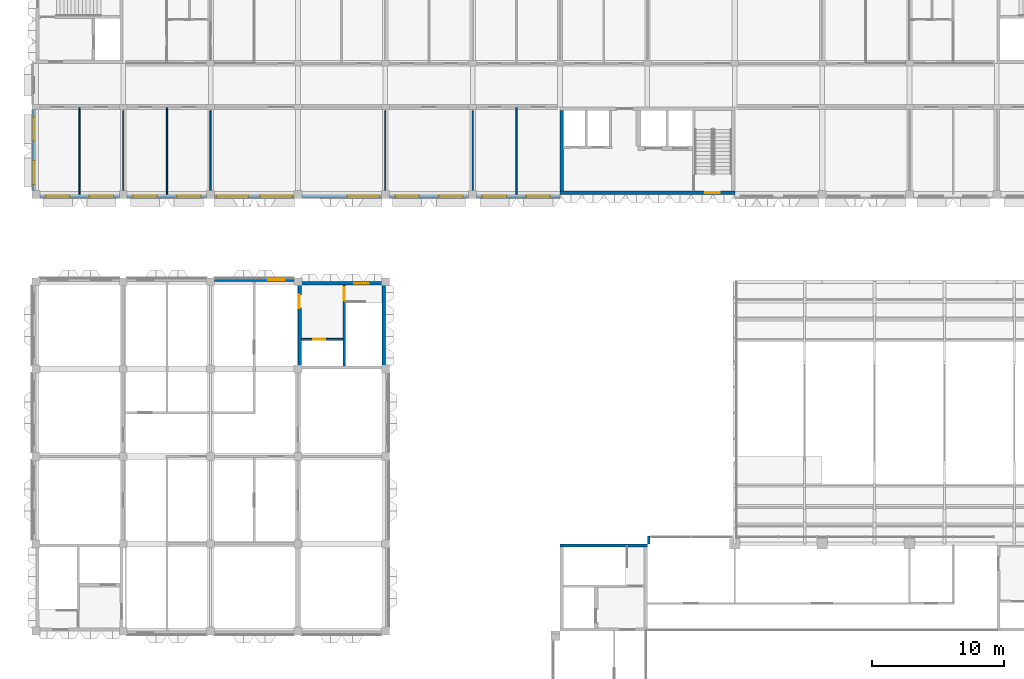
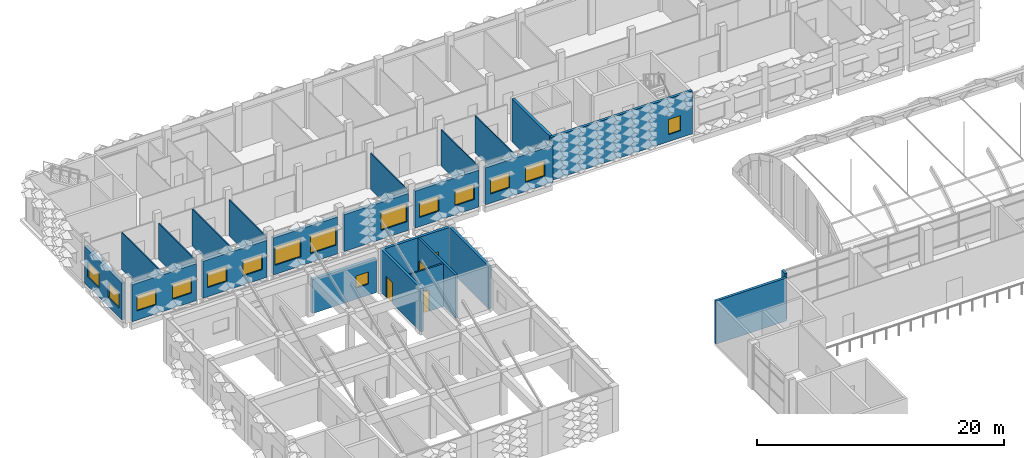
# One storey, part 49 of 102: 24 walls, 16 windows, 3 doors, 19 openings.
"""IFC4 building model written with IfcOpenShell, lengths in metres."""

from ifc_helpers import new_model, si_unit, direction, frame, frame_2d, origin, place, context, subcontext, project, spatial, rectangle, extrude, material, layer, layer_set, type_object, element, fill, save


model = new_model("IFC4")

# Units and contexts
model_context = context("Model", 3, precision=1e-05, world=origin(), true_north=direction((0.0, 1.0)))
body_context = subcontext(model_context, "Body", "Model", "MODEL_VIEW")
ifc_project = project(units=[si_unit("LENGTHUNIT", "METRE"), si_unit("AREAUNIT", "SQUARE_METRE"), si_unit("VOLUMEUNIT", "CUBIC_METRE"), si_unit("PLANEANGLEUNIT", "RADIAN"), si_unit("MASSUNIT", "GRAM", prefix="KILO")], contexts=[model_context])

# Site, building, storey
site_placement = place(None, origin())
site = spatial("IfcSite", under=ifc_project, at=site_placement, CompositionType="ELEMENT")
building_placement = place(site_placement, origin())
building = spatial("IfcBuilding", under=site, at=building_placement, Name="Lantern Court Research Institute", CompositionType="ELEMENT")
storey_placement = place(building_placement, frame((0.0, 0.0, 9.89990234375)))
storey = spatial("IfcBuildingStorey", under=building, at=storey_placement, Name="L02", CompositionType="ELEMENT", Elevation=9.89990234375)

# Wall, openings, windows
ifc_material_1 = material(Name="Concrete C30/37", Category="concrete")
ifc_layer_1 = layer(ifc_material_1, 0.300048828125)
ifc_layer_set_1 = layer_set([ifc_layer_1], Name="Concrete C30/37")
wall_type_1 = type_object("IfcWallType", Name="Insulated concrete infill wall 300", PredefinedType="STANDARD", material=ifc_layer_set_1)
wall_1_placement = place(storey_placement, frame((6.300048828125, 82.35009765625, 0.0), z_axis=(0.0, 0.0, 1.0), x_axis=(-1.0, 0.0, 0.0)))
wall_1 = element("IfcWall", 1, at=wall_1_placement, inside=storey, type_object=wall_type_1, Name="Exterior wall EW156", PredefinedType="STANDARD", context=body_context, shape_type="SweptSolid", body=[
    extrude(rectangle(XDim=6.0, YDim=0.300048828125, at=frame_2d((3.0, 0.0))), origin(), (0.0, 0.0, 1.0), 3.650146484375),
])
opening_1_placement = place(wall_1_placement, frame((3.75, 0.0, 0.89990234375)))
opening_1 = element("IfcOpeningElement", 2, at=opening_1_placement, cuts=wall_1, Name="Opening W14", PredefinedType="OPENING", context=body_context, shape_type="SweptSolid", body=[
    extrude(rectangle(XDim=1.800048828125, YDim=1.5, at=frame_2d((0.89990234375, 0.75))), frame((0.0, 0.159912109375, 0.0), z_axis=(0.0, -1.0, 0.0), x_axis=(1.0, 0.0, 0.0)), (0.0, 0.0, 1.0), 0.320068359375),
])
opening_2_placement = place(wall_1_placement, frame((0.449951171875, 0.0, 0.89990234375)))
opening_2 = element("IfcOpeningElement", 3, at=opening_2_placement, cuts=wall_1, Name="Opening W14", PredefinedType="OPENING", context=body_context, shape_type="SweptSolid", body=[
    extrude(rectangle(XDim=1.800048828125, YDim=1.5, at=frame_2d((0.89990234375, 0.75))), frame((0.0, 0.159912109375, 0.0), z_axis=(0.0, -1.0, 0.0), x_axis=(1.0, 0.0, 0.0)), (0.0, 0.0, 1.0), 0.320068359375),
])
ifc_material_2 = material(Name="Aluminium frame with laminated low-emissivity glazing", Category="aluminium")
window_type_1 = type_object("IfcWindowType", Name="Office window 1800 x 1500", PartitioningType="SINGLE_PANEL", PredefinedType="WINDOW", material=ifc_material_2)
window_1_placement = place(opening_1_placement, origin())
window_1 = element("IfcWindow", 4, at=window_1_placement, inside=storey, type_object=window_type_1, Name="Window W14 V6S L02", OverallHeight=1.5, OverallWidth=1.800048828125, PartitioningType="SINGLE_PANEL", PredefinedType="WINDOW", context=body_context, shape_type="SweptSolid", body=[
    extrude(rectangle(XDim=1.800048828125, YDim=1.5, at=frame_2d((0.89990234375, 0.75))), frame((0.0, 0.030029296875, 0.0), z_axis=(0.0, -1.0, 0.0), x_axis=(1.0, 0.0, 0.0)), (0.0, 0.0, 1.0), 0.06005859375),
])
fill(opening_1, window_1)
window_2_placement = place(opening_2_placement, origin())
window_2 = element("IfcWindow", 5, at=window_2_placement, inside=storey, type_object=window_type_1, Name="Window W14 V6S L02", OverallHeight=1.5, OverallWidth=1.800048828125, PartitioningType="SINGLE_PANEL", PredefinedType="WINDOW", context=body_context, shape_type="SweptSolid", body=[
    extrude(rectangle(XDim=1.800048828125, YDim=1.5, at=frame_2d((0.89990234375, 0.75))), frame((0.0, 0.030029296875, 0.0), z_axis=(0.0, -1.0, 0.0), x_axis=(1.0, 0.0, 0.0)), (0.0, 0.0, 1.0), 0.06005859375),
])
fill(opening_2, window_2)

wall_2_placement = place(storey_placement, frame((12.89990234375, 82.35009765625, 0.0), z_axis=(0.0, 0.0, 1.0), x_axis=(-1.0, 0.0, 0.0)))
wall_2 = element("IfcWall", 6, at=wall_2_placement, inside=storey, type_object=wall_type_1, Name="Exterior wall EW157", PredefinedType="STANDARD", context=body_context, shape_type="SweptSolid", body=[
    extrude(rectangle(XDim=6.0, YDim=0.300048828125, at=frame_2d((3.0, 0.0))), origin(), (0.0, 0.0, 1.0), 3.650146484375),
])
opening_3_placement = place(wall_2_placement, frame((3.75, 0.0, 0.89990234375)))
opening_3 = element("IfcOpeningElement", 7, at=opening_3_placement, cuts=wall_2, Name="Opening W14", PredefinedType="OPENING", context=body_context, shape_type="SweptSolid", body=[
    extrude(rectangle(XDim=1.800048828125, YDim=1.5, at=frame_2d((0.89990234375, 0.75))), frame((0.0, 0.159912109375, 0.0), z_axis=(0.0, -1.0, 0.0), x_axis=(1.0, 0.0, 0.0)), (0.0, 0.0, 1.0), 0.320068359375),
])
opening_4_placement = place(wall_2_placement, frame((0.449951171875, 0.0, 0.89990234375)))
opening_4 = element("IfcOpeningElement", 8, at=opening_4_placement, cuts=wall_2, Name="Opening W14", PredefinedType="OPENING", context=body_context, shape_type="SweptSolid", body=[
    extrude(rectangle(XDim=1.800048828125, YDim=1.5, at=frame_2d((0.89990234375, 0.75))), frame((0.0, 0.159912109375, 0.0), z_axis=(0.0, -1.0, 0.0), x_axis=(1.0, 0.0, 0.0)), (0.0, 0.0, 1.0), 0.320068359375),
])
window_3_placement = place(opening_3_placement, origin())
window_3 = element("IfcWindow", 9, at=window_3_placement, inside=storey, type_object=window_type_1, Name="Window W14 V6S L02", OverallHeight=1.5, OverallWidth=1.800048828125, PartitioningType="SINGLE_PANEL", PredefinedType="WINDOW", context=body_context, shape_type="SweptSolid", body=[
    extrude(rectangle(XDim=1.800048828125, YDim=1.5, at=frame_2d((0.89990234375, 0.75))), frame((0.0, 0.030029296875, 0.0), z_axis=(0.0, -1.0, 0.0), x_axis=(1.0, 0.0, 0.0)), (0.0, 0.0, 1.0), 0.06005859375),
])
fill(opening_3, window_3)
window_4_placement = place(opening_4_placement, origin())
window_4 = element("IfcWindow", 10, at=window_4_placement, inside=storey, type_object=window_type_1, Name="Window W14 V6S L02", OverallHeight=1.5, OverallWidth=1.800048828125, PartitioningType="SINGLE_PANEL", PredefinedType="WINDOW", context=body_context, shape_type="SweptSolid", body=[
    extrude(rectangle(XDim=1.800048828125, YDim=1.5, at=frame_2d((0.89990234375, 0.75))), frame((0.0, 0.030029296875, 0.0), z_axis=(0.0, -1.0, 0.0), x_axis=(1.0, 0.0, 0.0)), (0.0, 0.0, 1.0), 0.06005859375),
])
fill(opening_4, window_4)

wall_3_placement = place(storey_placement, frame((19.5, 82.35009765625, 0.0), z_axis=(0.0, 0.0, 1.0), x_axis=(-1.0, 0.0, 0.0)))
wall_3 = element("IfcWall", 11, at=wall_3_placement, inside=storey, type_object=wall_type_1, Name="Exterior wall EW158", PredefinedType="STANDARD", context=body_context, shape_type="SweptSolid", body=[
    extrude(rectangle(XDim=6.0, YDim=0.300048828125, at=frame_2d((3.0, 0.0))), origin(), (0.0, 0.0, 1.0), 3.650146484375),
])
opening_5_placement = place(wall_3_placement, frame((3.449951171875, 0.0, 0.89990234375)))
opening_5 = element("IfcOpeningElement", 12, at=opening_5_placement, cuts=wall_3, Name="Opening W13", PredefinedType="OPENING", context=body_context, shape_type="SweptSolid", body=[
    extrude(rectangle(XDim=2.39990234375, YDim=1.800048828125, at=frame_2d((1.199951171875, 0.89990234375))), frame((0.0, 0.159912109375, 0.0), z_axis=(0.0, -1.0, 0.0), x_axis=(1.0, 0.0, 0.0)), (0.0, 0.0, 1.0), 0.320068359375),
])
opening_6_placement = place(wall_3_placement, frame((0.14990234375, 0.0, 0.89990234375)))
opening_6 = element("IfcOpeningElement", 13, at=opening_6_placement, cuts=wall_3, Name="Opening W13", PredefinedType="OPENING", context=body_context, shape_type="SweptSolid", body=[
    extrude(rectangle(XDim=2.39990234375, YDim=1.800048828125, at=frame_2d((1.199951171875, 0.89990234375))), frame((0.0, 0.159912109375, 0.0), z_axis=(0.0, -1.0, 0.0), x_axis=(1.0, 0.0, 0.0)), (0.0, 0.0, 1.0), 0.320068359375),
])
ifc_material_3 = material(Name="Aluminium frame with laminated low-emissivity glazing", Category="aluminium")
window_type_2 = type_object("IfcWindowType", Name="Seminar window 2400 x 1800", PartitioningType="SINGLE_PANEL", PredefinedType="WINDOW", material=ifc_material_3)
window_5_placement = place(opening_5_placement, origin())
window_5 = element("IfcWindow", 14, at=window_5_placement, inside=storey, type_object=window_type_2, Name="Window W13 V6S L02", OverallHeight=1.800048828125, OverallWidth=2.39990234375, PartitioningType="SINGLE_PANEL", PredefinedType="WINDOW", context=body_context, shape_type="SweptSolid", body=[
    extrude(rectangle(XDim=2.39990234375, YDim=1.800048828125, at=frame_2d((1.199951171875, 0.89990234375))), frame((0.0, 0.030029296875, 0.0), z_axis=(0.0, -1.0, 0.0), x_axis=(1.0, 0.0, 0.0)), (0.0, 0.0, 1.0), 0.06005859375),
])
fill(opening_5, window_5)
window_6_placement = place(opening_6_placement, origin())
window_6 = element("IfcWindow", 15, at=window_6_placement, inside=storey, type_object=window_type_2, Name="Window W13 V6S L02", OverallHeight=1.800048828125, OverallWidth=2.39990234375, PartitioningType="SINGLE_PANEL", PredefinedType="WINDOW", context=body_context, shape_type="SweptSolid", body=[
    extrude(rectangle(XDim=2.39990234375, YDim=1.800048828125, at=frame_2d((1.199951171875, 0.89990234375))), frame((0.0, 0.030029296875, 0.0), z_axis=(0.0, -1.0, 0.0), x_axis=(1.0, 0.0, 0.0)), (0.0, 0.0, 1.0), 0.06005859375),
])
fill(opening_6, window_6)

# Wall, opening, window
wall_4_placement = place(storey_placement, frame((26.10009765625, 82.35009765625, 0.0), z_axis=(0.0, 0.0, 1.0), x_axis=(-1.0, 0.0, 0.0)))
wall_4 = element("IfcWall", 16, at=wall_4_placement, inside=storey, type_object=wall_type_1, Name="Exterior wall EW159", PredefinedType="STANDARD", context=body_context, shape_type="SweptSolid", body=[
    extrude(rectangle(XDim=6.0, YDim=0.300048828125, at=frame_2d((3.0, 0.0))), origin(), (0.0, 0.0, 1.0), 3.650146484375),
])
opening_7_placement = place(wall_4_placement, frame((0.14990234375, 0.0, 0.89990234375)))
opening_7 = element("IfcOpeningElement", 17, at=opening_7_placement, cuts=wall_4, Name="Opening W13", PredefinedType="OPENING", context=body_context, shape_type="SweptSolid", body=[
    extrude(rectangle(XDim=2.39990234375, YDim=1.800048828125, at=frame_2d((1.199951171875, 0.89990234375))), frame((0.0, 0.159912109375, 0.0), z_axis=(0.0, -1.0, 0.0), x_axis=(1.0, 0.0, 0.0)), (0.0, 0.0, 1.0), 0.320068359375),
])
window_7_placement = place(opening_7_placement, origin())
window_7 = element("IfcWindow", 18, at=window_7_placement, inside=storey, type_object=window_type_2, Name="Window W13 V6S L02", OverallHeight=1.800048828125, OverallWidth=2.39990234375, PartitioningType="SINGLE_PANEL", PredefinedType="WINDOW", context=body_context, shape_type="SweptSolid", body=[
    extrude(rectangle(XDim=2.39990234375, YDim=1.800048828125, at=frame_2d((1.199951171875, 0.89990234375))), frame((0.0, 0.030029296875, 0.0), z_axis=(0.0, -1.0, 0.0), x_axis=(1.0, 0.0, 0.0)), (0.0, 0.0, 1.0), 0.06005859375),
])
fill(opening_7, window_7)

# Wall, openings, windows
wall_5_placement = place(storey_placement, frame((32.699951171875, 82.35009765625, 0.0), z_axis=(0.0, 0.0, 1.0), x_axis=(-1.0, 0.0, 0.0)))
wall_5 = element("IfcWall", 19, at=wall_5_placement, inside=storey, type_object=wall_type_1, Name="Exterior wall EW160", PredefinedType="STANDARD", context=body_context, shape_type="SweptSolid", body=[
    extrude(rectangle(XDim=6.0, YDim=0.300048828125, at=frame_2d((3.0, 0.0))), origin(), (0.0, 0.0, 1.0), 3.650146484375),
])
opening_8_placement = place(wall_5_placement, frame((3.75, 0.0, 0.89990234375)))
opening_8 = element("IfcOpeningElement", 20, at=opening_8_placement, cuts=wall_5, Name="Opening W14", PredefinedType="OPENING", context=body_context, shape_type="SweptSolid", body=[
    extrude(rectangle(XDim=1.800048828125, YDim=1.5, at=frame_2d((0.89990234375, 0.75))), frame((0.0, 0.159912109375, 0.0), z_axis=(0.0, -1.0, 0.0), x_axis=(1.0, 0.0, 0.0)), (0.0, 0.0, 1.0), 0.320068359375),
])
opening_9_placement = place(wall_5_placement, frame((0.449951171875, 0.0, 0.89990234375)))
opening_9 = element("IfcOpeningElement", 21, at=opening_9_placement, cuts=wall_5, Name="Opening W14", PredefinedType="OPENING", context=body_context, shape_type="SweptSolid", body=[
    extrude(rectangle(XDim=1.800048828125, YDim=1.5, at=frame_2d((0.89990234375, 0.75))), frame((0.0, 0.159912109375, 0.0), z_axis=(0.0, -1.0, 0.0), x_axis=(1.0, 0.0, 0.0)), (0.0, 0.0, 1.0), 0.320068359375),
])
window_8_placement = place(opening_8_placement, origin())
window_8 = element("IfcWindow", 22, at=window_8_placement, inside=storey, type_object=window_type_1, Name="Window W14 V6S L02", OverallHeight=1.5, OverallWidth=1.800048828125, PartitioningType="SINGLE_PANEL", PredefinedType="WINDOW", context=body_context, shape_type="SweptSolid", body=[
    extrude(rectangle(XDim=1.800048828125, YDim=1.5, at=frame_2d((0.89990234375, 0.75))), frame((0.0, 0.030029296875, 0.0), z_axis=(0.0, -1.0, 0.0), x_axis=(1.0, 0.0, 0.0)), (0.0, 0.0, 1.0), 0.06005859375),
])
fill(opening_8, window_8)
window_9_placement = place(opening_9_placement, origin())
window_9 = element("IfcWindow", 23, at=window_9_placement, inside=storey, type_object=window_type_1, Name="Window W14 V6S L02", OverallHeight=1.5, OverallWidth=1.800048828125, PartitioningType="SINGLE_PANEL", PredefinedType="WINDOW", context=body_context, shape_type="SweptSolid", body=[
    extrude(rectangle(XDim=1.800048828125, YDim=1.5, at=frame_2d((0.89990234375, 0.75))), frame((0.0, 0.030029296875, 0.0), z_axis=(0.0, -1.0, 0.0), x_axis=(1.0, 0.0, 0.0)), (0.0, 0.0, 1.0), 0.06005859375),
])
fill(opening_9, window_9)

wall_6_placement = place(storey_placement, frame((39.60009765625, 82.35009765625, 0.0), z_axis=(0.0, 0.0, 1.0), x_axis=(-1.0, 0.0, 0.0)))
wall_6 = element("IfcWall", 24, at=wall_6_placement, inside=storey, type_object=wall_type_1, Name="Exterior wall EW161", PredefinedType="STANDARD", context=body_context, shape_type="SweptSolid", body=[
    extrude(rectangle(XDim=6.300048828125, YDim=0.300048828125, at=frame_2d((3.14990234375, 0.0))), origin(), (0.0, 0.0, 1.0), 3.650146484375),
])
opening_10_placement = place(wall_6_placement, frame((4.050048828125, 0.0, 0.89990234375)))
opening_10 = element("IfcOpeningElement", 25, at=opening_10_placement, cuts=wall_6, Name="Opening W14", PredefinedType="OPENING", context=body_context, shape_type="SweptSolid", body=[
    extrude(rectangle(XDim=1.800048828125, YDim=1.5, at=frame_2d((0.89990234375, 0.75))), frame((0.0, 0.159912109375, 0.0), z_axis=(0.0, -1.0, 0.0), x_axis=(1.0, 0.0, 0.0)), (0.0, 0.0, 1.0), 0.320068359375),
])
opening_11_placement = place(wall_6_placement, frame((0.75, 0.0, 0.89990234375)))
opening_11 = element("IfcOpeningElement", 26, at=opening_11_placement, cuts=wall_6, Name="Opening W14", PredefinedType="OPENING", context=body_context, shape_type="SweptSolid", body=[
    extrude(rectangle(XDim=1.800048828125, YDim=1.5, at=frame_2d((0.89990234375, 0.75))), frame((0.0, 0.159912109375, 0.0), z_axis=(0.0, -1.0, 0.0), x_axis=(1.0, 0.0, 0.0)), (0.0, 0.0, 1.0), 0.320068359375),
])
window_10_placement = place(opening_10_placement, origin())
window_10 = element("IfcWindow", 27, at=window_10_placement, inside=storey, type_object=window_type_1, Name="Window W14 V6S L02", OverallHeight=1.5, OverallWidth=1.800048828125, PartitioningType="SINGLE_PANEL", PredefinedType="WINDOW", context=body_context, shape_type="SweptSolid", body=[
    extrude(rectangle(XDim=1.800048828125, YDim=1.5, at=frame_2d((0.89990234375, 0.75))), frame((0.0, 0.030029296875, 0.0), z_axis=(0.0, -1.0, 0.0), x_axis=(1.0, 0.0, 0.0)), (0.0, 0.0, 1.0), 0.06005859375),
])
fill(opening_10, window_10)
window_11_placement = place(opening_11_placement, origin())
window_11 = element("IfcWindow", 28, at=window_11_placement, inside=storey, type_object=window_type_1, Name="Window W14 V6S L02", OverallHeight=1.5, OverallWidth=1.800048828125, PartitioningType="SINGLE_PANEL", PredefinedType="WINDOW", context=body_context, shape_type="SweptSolid", body=[
    extrude(rectangle(XDim=1.800048828125, YDim=1.5, at=frame_2d((0.89990234375, 0.75))), frame((0.0, 0.030029296875, 0.0), z_axis=(0.0, -1.0, 0.0), x_axis=(1.0, 0.0, 0.0)), (0.0, 0.0, 1.0), 0.06005859375),
])
fill(opening_11, window_11)

wall_7_placement = place(storey_placement, frame((-0.14990234375, 82.800048828125, 0.0), z_axis=(0.0, 0.0, 1.0), x_axis=(0.0, 1.0, 0.0)))
wall_7 = element("IfcWall", 29, at=wall_7_placement, inside=storey, type_object=wall_type_1, Name="Exterior wall EW166", PredefinedType="STANDARD", context=body_context, shape_type="SweptSolid", body=[
    extrude(rectangle(XDim=6.099853515625, YDim=0.300048828125, at=frame_2d((3.0498046875, 0.0))), origin(), (0.0, 0.0, 1.0), 3.650146484375),
])
opening_12_placement = place(wall_7_placement, frame((0.449951171875, 0.0, 0.89990234375)))
opening_12 = element("IfcOpeningElement", 30, at=opening_12_placement, cuts=wall_7, Name="Opening W14", PredefinedType="OPENING", context=body_context, shape_type="SweptSolid", body=[
    extrude(rectangle(XDim=1.800048828125, YDim=1.5, at=frame_2d((0.89990234375, 0.75))), frame((0.0, 0.159912109375, 0.0), z_axis=(0.0, -1.0, 0.0), x_axis=(1.0, 0.0, 0.0)), (0.0, 0.0, 1.0), 0.320068359375),
])
opening_13_placement = place(wall_7_placement, frame((3.75, 0.0, 0.89990234375)))
opening_13 = element("IfcOpeningElement", 31, at=opening_13_placement, cuts=wall_7, Name="Opening W14", PredefinedType="OPENING", context=body_context, shape_type="SweptSolid", body=[
    extrude(rectangle(XDim=1.800048828125, YDim=1.5, at=frame_2d((0.89990234375, 0.75))), frame((0.0, 0.159912109375, 0.0), z_axis=(0.0, -1.0, 0.0), x_axis=(1.0, 0.0, 0.0)), (0.0, 0.0, 1.0), 0.320068359375),
])
window_12_placement = place(opening_12_placement, origin())
window_12 = element("IfcWindow", 32, at=window_12_placement, inside=storey, type_object=window_type_1, Name="Window W14 V6W L02", OverallHeight=1.5, OverallWidth=1.800048828125, PartitioningType="SINGLE_PANEL", PredefinedType="WINDOW", context=body_context, shape_type="SweptSolid", body=[
    extrude(rectangle(XDim=1.800048828125, YDim=1.5, at=frame_2d((0.89990234375, 0.75))), frame((0.0, 0.030029296875, 0.0), z_axis=(0.0, -1.0, 0.0), x_axis=(1.0, 0.0, 0.0)), (0.0, 0.0, 1.0), 0.06005859375),
])
fill(opening_12, window_12)
window_13_placement = place(opening_13_placement, origin())
window_13 = element("IfcWindow", 33, at=window_13_placement, inside=storey, type_object=window_type_1, Name="Window W14 V6W L02", OverallHeight=1.5, OverallWidth=1.800048828125, PartitioningType="SINGLE_PANEL", PredefinedType="WINDOW", context=body_context, shape_type="SweptSolid", body=[
    extrude(rectangle(XDim=1.800048828125, YDim=1.5, at=frame_2d((0.89990234375, 0.75))), frame((0.0, 0.030029296875, 0.0), z_axis=(0.0, -1.0, 0.0), x_axis=(1.0, 0.0, 0.0)), (0.0, 0.0, 1.0), 0.06005859375),
])
fill(opening_13, window_13)

# Wall, opening, window
ifc_material_4 = material(Name="Aluminium composite panel with mineral wool insulation", Category="aluminium")
ifc_layer_2 = layer(ifc_material_4, 0.300048828125)
ifc_layer_set_2 = layer_set([ifc_layer_2], Name="Aluminium composite panel with mineral wool insulation")
wall_type_2 = type_object("IfcWallType", Name="Insulated panel wall 300 aluminium faced", PredefinedType="STANDARD", material=ifc_layer_set_2)
wall_8_placement = place(storey_placement, frame((13.5, 76.050048828125, 0.0), z_axis=(0.0, 0.0, 1.0), x_axis=(1.0, 0.0, 0.0)))
wall_8 = element("IfcWall", 34, at=wall_8_placement, inside=storey, type_object=wall_type_2, Name="Exterior wall EW136", PredefinedType="STANDARD", context=body_context, shape_type="SweptSolid", body=[
    extrude(rectangle(XDim=6.0, YDim=0.300048828125, at=frame_2d((3.0, 0.0))), origin(), (0.0, 0.0, 1.0), 3.35009765625),
])
opening_14_placement = place(wall_8_placement, frame((4.050048828125, 0.0, 1.10009765625)))
opening_14 = element("IfcOpeningElement", 35, at=opening_14_placement, cuts=wall_8, Name="Opening W05", PredefinedType="OPENING", context=body_context, shape_type="SweptSolid", body=[
    extrude(rectangle(XDim=1.199951171875, YDim=1.199951171875, at=frame_2d((0.60009765625, 0.60009765625))), frame((0.0, 0.159912109375, 0.0), z_axis=(0.0, -1.0, 0.0), x_axis=(1.0, 0.0, 0.0)), (0.0, 0.0, 1.0), 0.320068359375),
])
ifc_material_5 = material(Name="Aluminium frame with laminated low-emissivity glazing", Category="aluminium")
window_type_3 = type_object("IfcWindowType", Name="Corridor end window 1200 x 1200", PartitioningType="SINGLE_PANEL", PredefinedType="WINDOW", material=ifc_material_5)
window_14_placement = place(opening_14_placement, origin())
window_14 = element("IfcWindow", 36, at=window_14_placement, inside=storey, type_object=window_type_3, Name="Window W05 V3N L02", OverallHeight=1.199951171875, OverallWidth=1.199951171875, PartitioningType="SINGLE_PANEL", PredefinedType="WINDOW", context=body_context, shape_type="SweptSolid", body=[
    extrude(rectangle(XDim=1.199951171875, YDim=1.199951171875, at=frame_2d((0.60009765625, 0.60009765625))), frame((0.0, 0.030029296875, 0.0), z_axis=(0.0, -1.0, 0.0), x_axis=(1.0, 0.0, 0.0)), (0.0, 0.0, 1.0), 0.06005859375),
])
fill(opening_14, window_14)

# Walls
ifc_material_6 = material(Name="Gypsum board on metal studs")
ifc_layer_3 = layer(ifc_material_6, 0.10009765625)
ifc_layer_set_3 = layer_set([ifc_layer_3], Name="Gypsum board on metal studs")
wall_type_3 = type_object("IfcWallType", Name="Partition 100 mm", PredefinedType="PARTITIONING", material=ifc_layer_set_3)
wall_9_placement = place(storey_placement, frame((3.300048828125, 82.5, 0.0), z_axis=(0.0, 0.0, 1.0), x_axis=(0.0, 1.0, 0.0)))
element("IfcWall", 37, at=wall_9_placement, inside=storey, type_object=wall_type_3, Name="Wall V6-L02-031", PredefinedType="PARTITIONING", context=body_context, shape_type="SweptSolid", body=[
    extrude(rectangle(XDim=6.537109375, YDim=0.10009765625, at=frame_2d((3.2685546875, 0.0))), origin(), (0.0, 0.0, 1.0), 3.650146484375),
])
wall_10_placement = place(storey_placement, frame((6.60009765625, 82.800048828125, 0.0), z_axis=(0.0, 0.0, 1.0), x_axis=(0.0, 1.0, 0.0)))
element("IfcWall", 38, at=wall_10_placement, inside=storey, type_object=wall_type_3, Name="Wall V6-L02-032", PredefinedType="PARTITIONING", context=body_context, shape_type="SweptSolid", body=[
    extrude(rectangle(XDim=6.0, YDim=0.10009765625, at=frame_2d((3.0, 0.0))), origin(), (0.0, 0.0, 1.0), 3.550048828125),
])
wall_11_placement = place(storey_placement, frame((9.89990234375, 82.5, 0.0), z_axis=(0.0, 0.0, 1.0), x_axis=(0.0, 1.0, 0.0)))
element("IfcWall", 39, at=wall_11_placement, inside=storey, type_object=wall_type_3, Name="Wall V6-L02-033", PredefinedType="PARTITIONING", context=body_context, shape_type="SweptSolid", body=[
    extrude(rectangle(XDim=6.537109375, YDim=0.10009765625, at=frame_2d((3.2685546875, 0.0))), origin(), (0.0, 0.0, 1.0), 3.650146484375),
])
for number, where, z_axis, x_axis, name in (
    (40, (13.199951171875, 82.800048828125, 0.0), (0.0, 0.0, 1.0), (0.0, 1.0, 0.0), "Wall V6-L02-037"),
    (41, (26.39990234375, 82.800048828125, 0.0), (0.0, 0.0, 1.0), (0.0, 1.0, 0.0), "Wall V6-L02-043"),
    (42, (33.0, 82.800048828125, 0.0), (0.0, 0.0, 1.0), (0.0, 1.0, 0.0), "Wall V6-L02-046"),
):
    element("IfcWall", number, at=place(storey_placement, frame(where, z_axis=z_axis, x_axis=x_axis)), inside=storey, type_object=wall_type_3, Name=name, PredefinedType="PARTITIONING", context=body_context, shape_type="SweptSolid", body=[
        extrude(rectangle(XDim=6.0, YDim=0.10009765625, at=frame_2d((3.0, 0.0))), origin(), (0.0, 0.0, 1.0), 3.550048828125),
    ])
wall_12_placement = place(storey_placement, frame((36.300048828125, 82.5, 0.0), z_axis=(0.0, 0.0, 1.0), x_axis=(0.0, 1.0, 0.0)))
element("IfcWall", 43, at=wall_12_placement, inside=storey, type_object=wall_type_3, Name="Wall V6-L02-048", PredefinedType="PARTITIONING", context=body_context, shape_type="SweptSolid", body=[
    extrude(rectangle(XDim=6.537109375, YDim=0.10009765625, at=frame_2d((3.2685546875, 0.0))), origin(), (0.0, 0.0, 1.0), 3.650146484375),
])
ifc_material_7 = material(Name="Concrete C40/50", Category="concrete")
ifc_layer_4 = layer(ifc_material_7, 0.25)
ifc_layer_set_4 = layer_set([ifc_layer_4], Name="Concrete C40/50")
wall_type_4 = type_object("IfcWallType", Name="RC core wall 250", PredefinedType="SHEAR", material=ifc_layer_set_4)
wall_13_placement = place(storey_placement, frame((39.72509765625, 88.85009765625, 0.0), z_axis=(0.0, 0.0, 1.0), x_axis=(0.0, -1.0, 0.0)))
element("IfcWall", 44, at=wall_13_placement, inside=storey, type_object=wall_type_4, Name="West wall of core WC-M", PredefinedType="SHEAR", context=body_context, shape_type="SweptSolid", body=[
    extrude(rectangle(XDim=6.10009765625, YDim=0.25, at=frame_2d((3.050048828125, 0.0))), origin(), (0.0, 0.0, 1.0), 4.25),
])

# Wall, opening, door
wall_14_placement = place(storey_placement, frame((19.925048828125, 75.89990234375, 0.0), z_axis=(0.0, 0.0, 1.0), x_axis=(0.0, -1.0, 0.0)))
wall_14 = element("IfcWall", 45, at=wall_14_placement, inside=storey, type_object=wall_type_4, Name="West wall of core CC-B", PredefinedType="SHEAR", context=body_context, shape_type="SweptSolid", body=[
    extrude(rectangle(XDim=6.599853515625, YDim=0.25, at=frame_2d((3.2998046875, 0.0))), origin(), (0.0, 0.0, 1.0), 4.25),
])
opening_15_placement = place(wall_14_placement, frame((1.0, 0.0, 0.0)))
opening_15 = element("IfcOpeningElement", 46, at=opening_15_placement, cuts=wall_14, Name="Opening D7297", PredefinedType="OPENING", context=body_context, shape_type="SweptSolid", body=[
    extrude(rectangle(XDim=1.0, YDim=2.10009765625, at=frame_2d((0.5, 1.050048828125))), frame((0.0, 0.135009765625, 0.0), z_axis=(0.0, -1.0, 0.0), x_axis=(1.0, 0.0, 0.0)), (0.0, 0.0, 1.0), 0.27001953125),
])
ifc_material_8 = material(Name="Steel fire door leaf with smoke seals", Category="steel")
door_type_1 = type_object("IfcDoorType", Name="Door 1000 x 2100 fire rated FD60S", OperationType="NOTDEFINED", PredefinedType="DOOR", material=ifc_material_8)
door_1_placement = place(opening_15_placement, origin())
door_1 = element("IfcDoor", 47, at=door_1_placement, inside=storey, type_object=door_type_1, Name="Lobby door", OperationType="SINGLE_SWING_RIGHT", OverallHeight=2.10009765625, OverallWidth=1.0, PredefinedType="DOOR", context=body_context, shape_type="SweptSolid", body=[
    extrude(rectangle(XDim=1.0, YDim=2.10009765625, at=frame_2d((0.5, 1.050048828125))), frame((0.0, 0.02490234375, 0.0), z_axis=(0.0, -1.0, 0.0), x_axis=(1.0, 0.0, 0.0)), (0.0, 0.0, 1.0), 0.050048828125),
])
fill(opening_15, door_1)

# Wall, opening, window
ifc_material_9 = material(Name="Concrete C40/50", Category="concrete")
ifc_layer_5 = layer(ifc_material_9, 0.25)
ifc_layer_set_5 = layer_set([ifc_layer_5], Name="Concrete C40/50")
wall_type_5 = type_object("IfcWallType", Name="RC core wall 250 facade", PredefinedType="SHEAR", material=ifc_layer_set_5)
wall_15_placement = place(storey_placement, frame((52.800048828125, 82.625, 0.0), z_axis=(0.0, 0.0, 1.0), x_axis=(-1.0, 0.0, 0.0)))
wall_15 = element("IfcWall", 48, at=wall_15_placement, inside=storey, type_object=wall_type_5, Name="South wall of core WC-M", PredefinedType="SHEAR", context=body_context, shape_type="SweptSolid", body=[
    extrude(rectangle(XDim=13.199951171875, YDim=0.25, at=frame_2d((6.60009765625, 0.0))), origin(), (0.0, 0.0, 1.0), 4.25),
])
opening_16_placement = place(wall_15_placement, frame((1.125, 0.0, 0.699951171875)))
opening_16 = element("IfcOpeningElement", 49, at=opening_16_placement, cuts=wall_15, Name="Opening W5", PredefinedType="OPENING", context=body_context, shape_type="SweptSolid", body=[
    extrude(rectangle(XDim=1.10009765625, YDim=1.5, at=frame_2d((0.550048828125, 0.75))), frame((0.0, 0.135009765625, 0.0), z_axis=(0.0, -1.0, 0.0), x_axis=(1.0, 0.0, 0.0)), (0.0, 0.0, 1.0), 0.27001953125),
])
ifc_material_10 = material(Name="Aluminium alloy 6063-T6 frame with laminated glass", Category="aluminium")
window_type_4 = type_object("IfcWindowType", Name="Stair window 1100 x 1500", PartitioningType="SINGLE_PANEL", PredefinedType="WINDOW", material=ifc_material_10)
window_15_placement = place(opening_16_placement, origin())
window_15 = element("IfcWindow", 50, at=window_15_placement, inside=storey, type_object=window_type_4, Name="Stair window", OverallHeight=1.5, OverallWidth=1.10009765625, PartitioningType="SINGLE_PANEL", PredefinedType="WINDOW", context=body_context, shape_type="SweptSolid", body=[
    extrude(rectangle(XDim=1.10009765625, YDim=1.5, at=frame_2d((0.550048828125, 0.75))), frame((0.0, 0.030029296875, 0.0), z_axis=(0.0, -1.0, 0.0), x_axis=(1.0, 0.0, 0.0)), (0.0, 0.0, 1.0), 0.06005859375),
])
fill(opening_16, window_15)

# Wall
wall_16_placement = place(storey_placement, frame((26.27490234375, 75.89990234375, 0.0), z_axis=(0.0, 0.0, 1.0), x_axis=(0.0, -1.0, 0.0)))
element("IfcWall", 51, at=wall_16_placement, inside=storey, type_object=wall_type_5, Name="East wall of core CC-B", PredefinedType="SHEAR", context=body_context, shape_type="SweptSolid", body=[
    extrude(rectangle(XDim=6.599853515625, YDim=0.25, at=frame_2d((3.2998046875, 0.0))), origin(), (0.0, 0.0, 1.0), 4.25),
])

# Wall, opening, window
wall_17_placement = place(storey_placement, frame((20.050048828125, 75.77490234375, 0.0), z_axis=(0.0, 0.0, 1.0), x_axis=(1.0, 0.0, 0.0)))
wall_17 = element("IfcWall", 52, at=wall_17_placement, inside=storey, type_object=wall_type_5, Name="North wall of core CC-B", PredefinedType="SHEAR", context=body_context, shape_type="SweptSolid", body=[
    extrude(rectangle(XDim=6.099853515625, YDim=0.25, at=frame_2d((3.0498046875, 0.0))), origin(), (0.0, 0.0, 1.0), 4.25),
])
opening_17_placement = place(wall_17_placement, frame((4.0, 0.0, 0.699951171875)))
opening_17 = element("IfcOpeningElement", 53, at=opening_17_placement, cuts=wall_17, Name="Opening W5", PredefinedType="OPENING", context=body_context, shape_type="SweptSolid", body=[
    extrude(rectangle(XDim=1.10009765625, YDim=1.5, at=frame_2d((0.550048828125, 0.75))), frame((0.0, 0.135009765625, 0.0), z_axis=(0.0, -1.0, 0.0), x_axis=(1.0, 0.0, 0.0)), (0.0, 0.0, 1.0), 0.27001953125),
])
window_16_placement = place(opening_17_placement, origin())
window_16 = element("IfcWindow", 54, at=window_16_placement, inside=storey, type_object=window_type_4, Name="Stair window", OverallHeight=1.5, OverallWidth=1.10009765625, PartitioningType="SINGLE_PANEL", PredefinedType="WINDOW", context=body_context, shape_type="SweptSolid", body=[
    extrude(rectangle(XDim=1.10009765625, YDim=1.5, at=frame_2d((0.550048828125, 0.75))), frame((0.0, 0.030029296875, 0.0), z_axis=(0.0, -1.0, 0.0), x_axis=(1.0, 0.0, 0.0)), (0.0, 0.0, 1.0), 0.06005859375),
])
fill(opening_17, window_16)

# Wall
wall_18_placement = place(storey_placement, frame((39.60009765625, 55.97509765625, 0.0), z_axis=(0.0, 0.0, 1.0), x_axis=(1.0, 0.0, 0.0)))
element("IfcWall", 55, at=wall_18_placement, inside=storey, type_object=wall_type_5, Name="North wall of core HC-A", PredefinedType="SHEAR", context=body_context, shape_type="SweptSolid", body=[
    extrude(rectangle(XDim=6.599853515625, YDim=0.25, at=frame_2d((3.2998046875, 0.0))), origin(), (0.0, 0.0, 1.0), 4.25),
])

# Wall, opening, door
ifc_material_11 = material(Name="Concrete C40/50", Category="concrete")
ifc_layer_6 = layer(ifc_material_11, 0.14990234375)
ifc_layer_set_6 = layer_set([ifc_layer_6], Name="Concrete C40/50")
wall_type_6 = type_object("IfcWallType", Name="RC shaft wall 150", PredefinedType="SHEAR", material=ifc_layer_set_6)
wall_19_placement = place(storey_placement, frame((20.050048828125, 71.550048828125, 0.0), z_axis=(0.0, 0.0, 1.0), x_axis=(1.0, 0.0, 0.0)))
wall_19 = element("IfcWall", 56, at=wall_19_placement, inside=storey, type_object=wall_type_6, Name="Riser wall of core CC-B", PredefinedType="SHEAR", context=body_context, shape_type="SweptSolid", body=[
    extrude(rectangle(XDim=3.14990234375, YDim=0.14990234375, at=frame_2d((1.574951171875, 0.0))), origin(), (0.0, 0.0, 1.0), 4.25),
])
opening_18_placement = place(wall_19_placement, frame((0.89990234375, 0.0, 0.0)))
opening_18 = element("IfcOpeningElement", 57, at=opening_18_placement, cuts=wall_19, Name="Opening D7296", PredefinedType="OPENING", context=body_context, shape_type="SweptSolid", body=[
    extrude(rectangle(XDim=0.89990234375, YDim=2.10009765625, at=frame_2d((0.449951171875, 1.050048828125))), frame((0.0, 0.0849609375, 0.0), z_axis=(0.0, -1.0, 0.0), x_axis=(1.0, 0.0, 0.0)), (0.0, 0.0, 1.0), 0.169921875),
])
ifc_material_12 = material(Name="Steel fire door leaf", Category="steel")
door_type_2 = type_object("IfcDoorType", Name="Door 900 x 2100 fire rated FD60", OperationType="NOTDEFINED", PredefinedType="DOOR", material=ifc_material_12)
door_2_placement = place(opening_18_placement, origin())
door_2 = element("IfcDoor", 58, at=door_2_placement, inside=storey, type_object=door_type_2, Name="Riser door", OperationType="SINGLE_SWING_RIGHT", OverallHeight=2.10009765625, OverallWidth=0.89990234375, PredefinedType="DOOR", context=body_context, shape_type="SweptSolid", body=[
    extrude(rectangle(XDim=0.89990234375, YDim=2.10009765625, at=frame_2d((0.449951171875, 1.050048828125))), frame((0.0, 0.02490234375, 0.0), z_axis=(0.0, -1.0, 0.0), x_axis=(1.0, 0.0, 0.0)), (0.0, 0.0, 1.0), 0.050048828125),
])
fill(opening_18, door_2)

ifc_material_13 = material(Name="Concrete C40/50", Category="concrete")
ifc_layer_7 = layer(ifc_material_13, 0.199951171875)
ifc_layer_set_7 = layer_set([ifc_layer_7], Name="Concrete C40/50")
wall_type_7 = type_object("IfcWallType", Name="RC shaft wall 200", PredefinedType="SHEAR", material=ifc_layer_set_7)
wall_20_placement = place(storey_placement, frame((23.300048828125, 75.64990234375, 0.0), z_axis=(0.0, 0.0, 1.0), x_axis=(0.0, -1.0, 0.0)))
wall_20 = element("IfcWall", 59, at=wall_20_placement, inside=storey, type_object=wall_type_7, Name="Stair wall of core CC-B", PredefinedType="SHEAR", context=body_context, shape_type="SweptSolid", body=[
    extrude(rectangle(XDim=6.099853515625, YDim=0.199951171875, at=frame_2d((3.0498046875, 0.0))), origin(), (0.0, 0.0, 1.0), 4.25),
])
opening_19_placement = place(wall_20_placement, frame((0.14990234375, 0.0, 0.0)))
opening_19 = element("IfcOpeningElement", 60, at=opening_19_placement, cuts=wall_20, Name="Opening D7298", PredefinedType="OPENING", context=body_context, shape_type="SweptSolid", body=[
    extrude(rectangle(XDim=1.0, YDim=2.10009765625, at=frame_2d((0.5, 1.050048828125))), frame((0.0, 0.10986328125, 0.0), z_axis=(0.0, -1.0, 0.0), x_axis=(1.0, 0.0, 0.0)), (0.0, 0.0, 1.0), 0.219970703125),
])
door_3_placement = place(opening_19_placement, origin())
door_3 = element("IfcDoor", 61, at=door_3_placement, inside=storey, type_object=door_type_1, Name="Stair door", OperationType="SINGLE_SWING_RIGHT", OverallHeight=2.10009765625, OverallWidth=1.0, PredefinedType="DOOR", context=body_context, shape_type="SweptSolid", body=[
    extrude(rectangle(XDim=1.0, YDim=2.10009765625, at=frame_2d((0.5, 1.050048828125))), frame((0.0, 0.02490234375, 0.0), z_axis=(0.0, -1.0, 0.0), x_axis=(1.0, 0.0, 0.0)), (0.0, 0.0, 1.0), 0.050048828125),
])
fill(opening_19, door_3)

# Wall
ifc_material_14 = material(Name="Concrete C40/50", Category="concrete")
ifc_layer_8 = layer(ifc_material_14, 0.199951171875)
ifc_layer_set_8 = layer_set([ifc_layer_8], Name="Concrete C40/50")
wall_type_8 = type_object("IfcWallType", Name="Return wall 200 concrete EI 120 aluminium faced", PredefinedType="STANDARD", material=ifc_layer_set_8)
wall_21_placement = place(storey_placement, frame((46.300048828125, 56.10009765625, 0.0), z_axis=(0.0, 0.0, 1.0), x_axis=(0.0, 1.0, 0.0)))
element("IfcWall", 62, at=wall_21_placement, inside=storey, type_object=wall_type_8, Name="Core return wall 22", PredefinedType="STANDARD", context=body_context, shape_type="SweptSolid", body=[
    extrude(rectangle(XDim=0.599853515625, YDim=0.199951171875, at=frame_2d((0.2998046875, 0.0))), origin(), (0.0, 0.0, 1.0), 4.5),
])

save(model, "model.ifc")
